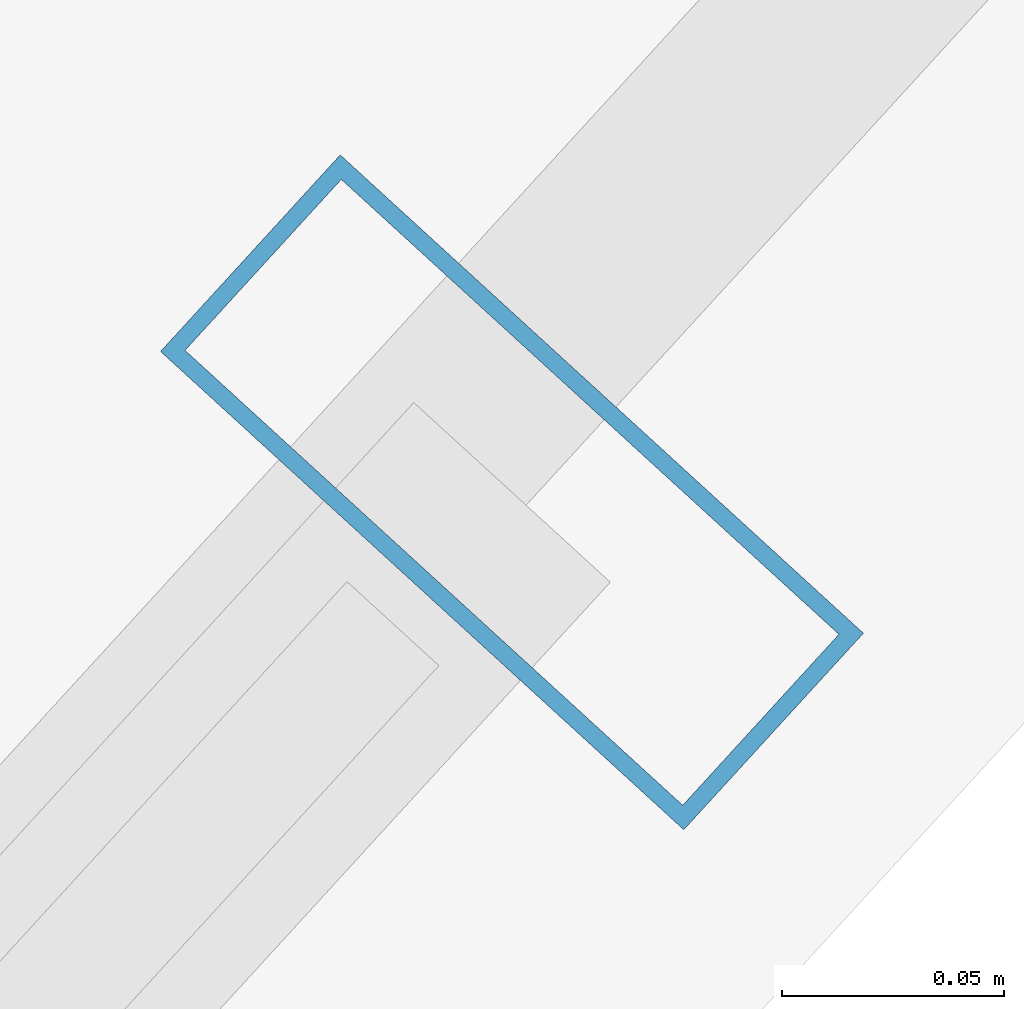
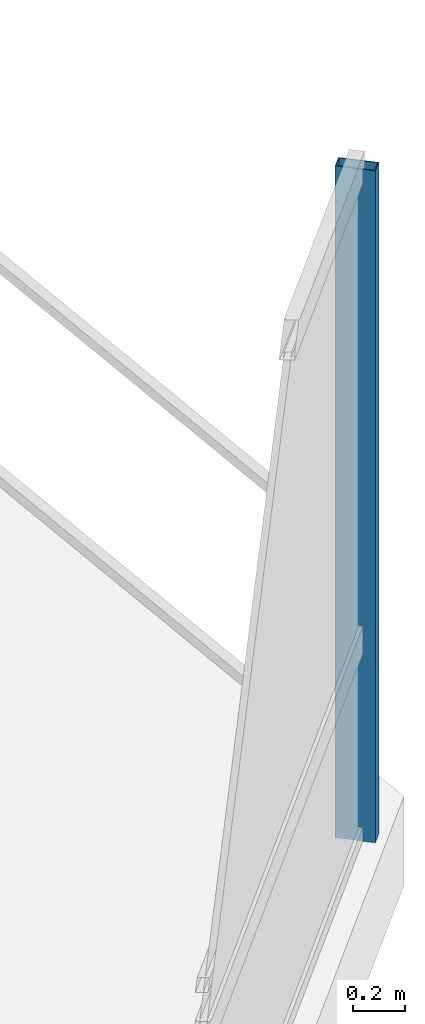
# One storey, part 16 of 33: 1 member, 1 element without a shape of its own.
"""IFC4 building model written with IfcOpenShell, lengths in metres."""

import ifcopenshell
import ifcopenshell.guid

model = None  # the IFC model being written
_history = None  # IfcOwnerHistory: only IFC2X3 demands one
_inside = {}  # id of a spatial element -> (the spatial element, [elements in it])
_under = {}  # id of a project, library or spatial element -> (it, [spatial elements below it])
_declared = {}  # id of a project -> (the project, [libraries it declares])
_typed = {}  # id of a type object -> (the type object, [elements of that type])
_made_of = {}  # id of a material, layer set ... -> (it, [elements and type objects made of it])


def new_model(schema):
    """Start an empty IFC model of exactly this schema.

    Asked for "IFC4X3", IfcOpenShell would pick the latest addendum, in which some entities
    have other attributes; the version numbers below select the first issue.
    IFC2X3 requires an IfcOwnerHistory on every rooted entity: one is made here for all.
    """
    global model, _history
    if schema == "IFC4X3":
        model = ifcopenshell.file(schema_version=(4, 3, 0, 0))
    else:
        model = ifcopenshell.file(schema=schema)
    _inside.clear()
    _under.clear()
    _declared.clear()
    _typed.clear()
    _made_of.clear()
    _history = None
    if model.schema == "IFC2X3":
        org = make("IfcOrganization", Name="unknown")
        user = make(
            "IfcPersonAndOrganization",
            ThePerson=make("IfcPerson", FamilyName="unknown"),
            TheOrganization=org,
        )
        app = make(
            "IfcApplication",
            ApplicationDeveloper=org,
            Version="unknown",
            ApplicationFullName="unknown",
            ApplicationIdentifier="unknown",
        )
        _history = make(
            "IfcOwnerHistory",
            OwningUser=user,
            OwningApplication=app,
            ChangeAction="ADDED",
            CreationDate=0,
        )
    return model


def make(cls, **values):
    """One entity of the class cls with the attributes given. An attribute that is None is left unset."""
    return model.create_entity(
        cls, **{name: value for name, value in values.items() if value is not None}
    )


def rooted(cls, **values):
    """An entity with a GlobalId (a new one), such as an element, a storey or a relation."""
    return make(cls, GlobalId=ifcopenshell.guid.new(), OwnerHistory=_history, **values)


def si_unit(unit_type, name, prefix=None):
    """IfcSIUnit, for example si_unit("LENGTHUNIT", "METRE", prefix="MILLI")."""
    return make("IfcSIUnit", UnitType=unit_type, Prefix=prefix, Name=name)


def assignment(units):
    """IfcUnitAssignment: the units of a project."""
    return None if units is None else make("IfcUnitAssignment", Units=units)


def point(xyz):
    """IfcCartesianPoint."""
    return None if xyz is None else make("IfcCartesianPoint", Coordinates=xyz)


def direction(xyz):
    """IfcDirection."""
    return None if xyz is None else make("IfcDirection", DirectionRatios=xyz)


def frame(location, z_axis=None, x_axis=None):
    """IfcAxis2Placement3D, a coordinate frame: its origin and axes. An axis left out is left unset."""
    return make(
        "IfcAxis2Placement3D",
        Location=point(location),
        Axis=direction(z_axis),
        RefDirection=direction(x_axis),
    )


def frame_2d(location, x_axis=None):
    """IfcAxis2Placement2D, a coordinate frame in the plane: its origin and x axis."""
    return make(
        "IfcAxis2Placement2D", Location=point(location), RefDirection=direction(x_axis)
    )


def origin():
    """The frame at (0, 0, 0) with its axes left unset."""
    return frame((0.0, 0.0, 0.0))


def origin_2d():
    """The frame at (0, 0) in the plane with its x axis left unset."""
    return frame_2d((0.0, 0.0))


def place(relative_to, where):
    """IfcLocalPlacement: puts the frame where relative to a parent placement (None: the world)."""
    return make(
        "IfcLocalPlacement", PlacementRelTo=relative_to, RelativePlacement=where
    )


def context(
    kind, dimensions, precision=None, world=None, true_north=None, identifier=None
):
    """IfcGeometricRepresentationContext, for example the 3D "Model" context."""
    return make(
        "IfcGeometricRepresentationContext",
        ContextIdentifier=identifier,
        ContextType=kind,
        CoordinateSpaceDimension=dimensions,
        Precision=precision,
        WorldCoordinateSystem=world,
        TrueNorth=true_north,
    )


def subcontext(parent, identifier, kind, view, scale=None):
    """IfcGeometricRepresentationSubContext, for example "Body" below "Model"."""
    return make(
        "IfcGeometricRepresentationSubContext",
        ContextIdentifier=identifier,
        ContextType=kind,
        ParentContext=parent,
        TargetScale=scale,
        TargetView=view,
    )


def project(units=None, contexts=None):
    """IfcProject with its units and contexts."""
    return rooted(
        "IfcProject",
        Name="project",
        RepresentationContexts=contexts,
        UnitsInContext=assignment(units),
    )


def spatial(cls, under=None, at=None, **own):
    """A site, building, storey or space (cls), placed at a placement, below another one or the project."""
    s = rooted(cls, ObjectPlacement=at, **own)
    if under is not None:
        _under.setdefault(under.id(), (under, []))[1].append(s)
    return s


def profile(cls, at=None, kind="AREA", **sizes):
    """A parametric profile (cls). Its sizes go by their IFC names, for example OverallWidth=200.0."""
    return make(cls, ProfileType=kind, Position=at, **sizes)


def hollow_rectangle(**sizes):
    """IfcRectangleHollowProfileDef."""
    return profile("IfcRectangleHollowProfileDef", **sizes)


def extrude(swept, where, along, depth):
    """IfcExtrudedAreaSolid: the profile swept, set in the frame where, extruded along a direction by depth."""
    return make(
        "IfcExtrudedAreaSolid",
        SweptArea=swept,
        Position=where,
        ExtrudedDirection=direction(along),
        Depth=depth,
    )


def shape(context_of_items, identifier, shape_type, items):
    """IfcShapeRepresentation: the items that make up one representation, for example the "Body"."""
    return make(
        "IfcShapeRepresentation",
        ContextOfItems=context_of_items,
        RepresentationIdentifier=identifier,
        RepresentationType=shape_type,
        Items=items,
    )


def material(Name=None, Category=None):
    """IfcMaterial."""
    return make("IfcMaterial", Name=Name, Category=Category)


def layer(
    of_material, thickness, ventilated=None, Name=None, Category=None, Priority=None
):
    """IfcMaterialLayer: one layer of a wall or slab, of a material (None: an air gap)."""
    return make(
        "IfcMaterialLayer",
        Material=of_material,
        LayerThickness=thickness,
        IsVentilated=ventilated,
        Name=Name,
        Category=Category,
        Priority=Priority,
    )


def layer_set(layers, Name=None):
    """IfcMaterialLayerSet."""
    return make("IfcMaterialLayerSet", MaterialLayers=layers, LayerSetName=Name)


def material_profile(
    of_material, cross_section, Name=None, Category=None, Priority=None
):
    """IfcMaterialProfile: a cross section and its material."""
    return make(
        "IfcMaterialProfile",
        Name=Name,
        Material=of_material,
        Profile=cross_section,
        Priority=Priority,
        Category=Category,
    )


def profile_set(profiles, Name=None, composite=None):
    """IfcMaterialProfileSet."""
    return make(
        "IfcMaterialProfileSet",
        Name=Name,
        MaterialProfiles=profiles,
        CompositeProfile=composite,
    )


def made_of(thing, what):
    """Note that an element or type object is made of a material, layer set ...; save() writes the relation."""
    if what is not None:
        _made_of.setdefault(what.id(), (what, []))[1].append(thing)
    return thing


def type_object(cls, material=None, **own):
    """A type object (cls), such as IfcWallType, which elements share."""
    return made_of(rooted(cls, **own), material)


def element(
    cls,
    number,
    at=None,
    inside=None,
    cuts=None,
    type_object=None,
    material=None,
    context=None,
    identifier="Body",
    shape_type=None,
    held_by="IfcProductDefinitionShape",
    body=None,
    shapes=None,
    **own,
):
    """One element of the class cls, such as IfcWall. Its Tag is "e" and its number.

    at: its placement. inside: the storey or other place that contains it. cuts: it is an
    opening in that element (IfcRelVoidsElement). A single representation is given by context,
    identifier, shape_type and body (its items); several are given by shapes. held_by: the class
    of the entity that holds the representations. save() writes the other relations.
    """
    e = rooted(cls, Tag="e%d" % number, ObjectPlacement=at, **own)
    if body is not None:
        shapes = [shape(context, identifier, shape_type, body)]
    if shapes is not None:
        e.Representation = make(held_by, Representations=shapes)
    if inside is not None:
        _inside.setdefault(inside.id(), (inside, []))[1].append(e)
    if cuts is not None:
        rooted(
            "IfcRelVoidsElement", RelatingBuildingElement=cuts, RelatedOpeningElement=e
        )
    if type_object is not None:
        _typed.setdefault(type_object.id(), (type_object, []))[1].append(e)
    return made_of(e, material)


def aggregate(whole, parts):
    """IfcRelAggregates: a whole, such as a stair, and the parts it consists of."""
    return rooted("IfcRelAggregates", RelatingObject=whole, RelatedObjects=parts)


def save(model, path):
    """Write the relations noted so far, then the file.

    IfcRelAggregates (storeys below a building ...), IfcRelContainedInSpatialStructure (elements
    in a storey), IfcRelDefinesByType, IfcRelAssociatesMaterial and IfcRelDeclares: one each for
    every whole, place, type object, material and project.
    """
    for whole, parts in _under.values():
        aggregate(whole, parts)
    for where, things in _inside.values():
        rooted(
            "IfcRelContainedInSpatialStructure",
            RelatedElements=things,
            RelatingStructure=where,
        )
    for kind, things in _typed.values():
        rooted("IfcRelDefinesByType", RelatedObjects=things, RelatingType=kind)
    for what, things in _made_of.values():
        rooted("IfcRelAssociatesMaterial", RelatedObjects=things, RelatingMaterial=what)
    for by, libraries in _declared.values():
        rooted("IfcRelDeclares", RelatingContext=by, RelatedDefinitions=libraries)
    model.write(path)


model = new_model("IFC4")

# Units and contexts
model_context = context("Model", 3, precision=1e-05, world=origin(), true_north=direction((0.0, 1.0)))
body_context = subcontext(model_context, "Body", "Model", "MODEL_VIEW")
ifc_project = project(units=[si_unit("LENGTHUNIT", "METRE"), si_unit("AREAUNIT", "SQUARE_METRE"), si_unit("VOLUMEUNIT", "CUBIC_METRE"), si_unit("PLANEANGLEUNIT", "RADIAN"), si_unit("MASSUNIT", "GRAM", prefix="KILO")], contexts=[model_context])

# Site, building, storey
site_placement = place(None, origin())
site = spatial("IfcSite", under=ifc_project, at=site_placement, CompositionType="ELEMENT")
building_placement = place(site_placement, origin())
building = spatial("IfcBuilding", under=site, at=building_placement, Name="Qarnah Convention Tower", CompositionType="ELEMENT")
storey_placement = place(building_placement, frame((0.0, 0.0, 27.0)))
storey = spatial("IfcBuildingStorey", under=building, at=storey_placement, Name="L05", CompositionType="ELEMENT", Elevation=27.0)

# Curtain wall, member
ifc_material_1 = material(Name="Tempered Low-E dark glass", Category="glass")
ifc_layer = layer(ifc_material_1, 0.16796875)
ifc_layer_set = layer_set([ifc_layer], Name="Tempered Low-E dark glass")
curtain_wall_type = type_object("IfcCurtainWallType", Name="CWS-01", PredefinedType="NOTDEFINED", material=ifc_layer_set)
curtain_wall_placement = place(storey_placement, origin())
curtain_wall = element("IfcCurtainWall", 1, at=curtain_wall_placement, inside=storey, type_object=curtain_wall_type, Name="L05 unitised curtain wall CW-L05-F3", PredefinedType="NOTDEFINED")
ifc_material_2 = material(Name="Black anodised aluminium", Category="aluminium")
ifc_material_profile = material_profile(ifc_material_2, hollow_rectangle(XDim=0.06005859375, YDim=0.159912109375, WallThickness=0.00390625, at=origin_2d()), Name="MUL-60X160")
ifc_profile_set = profile_set([ifc_material_profile], Name="Black anodised aluminium")
member_type = type_object("IfcMemberType", Name="MUL-T1", PredefinedType="MULLION", material=ifc_profile_set)
member_placement = place(storey_placement, frame((64.94189453125, 26.77001953125, 0.0), z_axis=(0.0, 0.0, 1.0), x_axis=(-0.674681503435, -0.738108981738, 0.0)))
member = element("IfcMember", 2, at=member_placement, type_object=member_type, Name="CW-L05-F3 mullion 1", PredefinedType="MULLION", context=body_context, shape_type="SweptSolid", body=[
    extrude(hollow_rectangle(XDim=0.06005859375, YDim=0.159912109375, WallThickness=0.00390625, at=origin_2d()), origin(), (0.0, 0.0, 1.0), 3.169921875),
])
aggregate(curtain_wall, [member])

save(model, "model.ifc")
